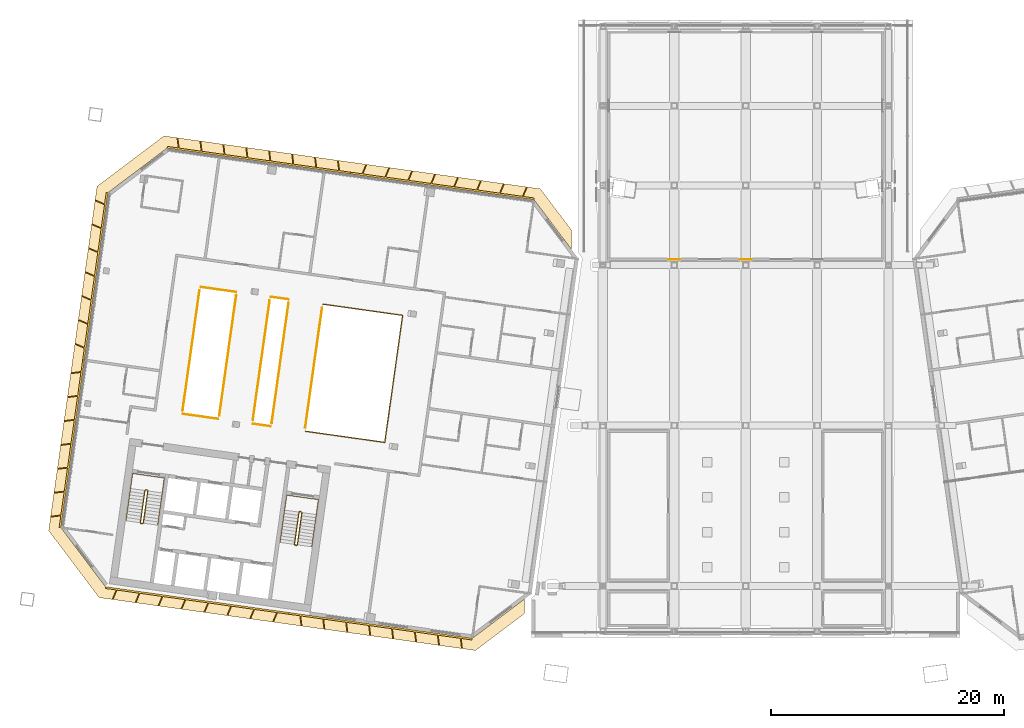
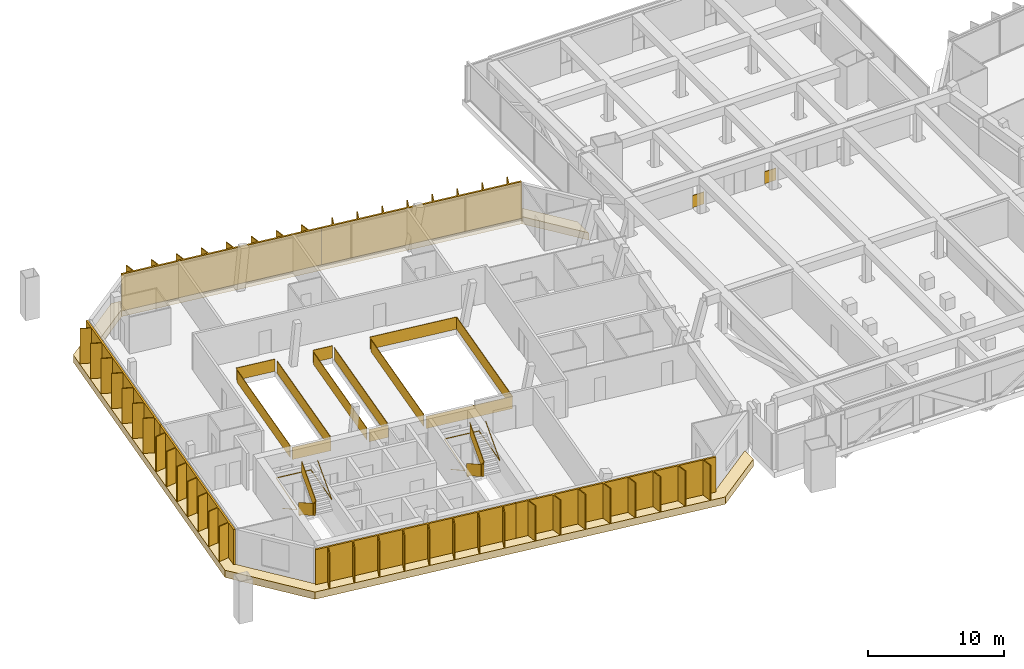
# One storey, part 26 of 30: 16 railings, 6 shading devices, 1 covering.
"""IFC4 building model written with IfcOpenShell, lengths in metres."""

from ifc_helpers import new_model, si_unit, direction, frame, origin, origin_2d, place, context, subcontext, project, spatial, polyline, rectangle, outline, extrude, material, layer, layer_set, type_object, element, save


model = new_model("IFC4")

# Units and contexts
model_context = context("Model", 3, precision=1e-05, world=origin(), true_north=direction((0.0, 1.0)))
body_context = subcontext(model_context, "Body", "Model", "MODEL_VIEW")
ifc_project = project(units=[si_unit("LENGTHUNIT", "METRE"), si_unit("AREAUNIT", "SQUARE_METRE"), si_unit("VOLUMEUNIT", "CUBIC_METRE"), si_unit("PLANEANGLEUNIT", "RADIAN"), si_unit("MASSUNIT", "GRAM", prefix="KILO")], contexts=[model_context])

# Site, building, storey
site_placement = place(None, origin())
site = spatial("IfcSite", under=ifc_project, at=site_placement, CompositionType="ELEMENT")
building_placement = place(site_placement, origin())
building = spatial("IfcBuilding", under=site, at=building_placement, Name="Mirante Cascada Hotel Towers", CompositionType="ELEMENT")
storey_placement = place(building_placement, frame((0.0, 0.0, 258.4)))
storey = spatial("IfcBuildingStorey", under=building, at=storey_placement, Name="L62", CompositionType="ELEMENT", Elevation=258.4)

# Railings
ifc_material_1 = material(Name="Toughened glass with stainless steel handrail", Category="steel")
railing_type_1 = type_object("IfcRailingType", Name="Atrium guard 1100 glass balustrade", PredefinedType="GUARDRAIL", material=ifc_material_1)
railing_1_placement = place(storey_placement, frame((-36.2506, 6.5531, 0.0)))
element("IfcRailing", 1, at=railing_1_placement, inside=storey, type_object=railing_type_1, Name="GUARD 1-L62-1", PredefinedType="GUARDRAIL", context=body_context, shape_type="SweptSolid", body=[
    extrude(rectangle(XDim=0.048, YDim=0.048, at=origin_2d()), frame((0.0, 0.0, 1.076), z_axis=(0.0, 1.0, 0.0), x_axis=(-1.0, 0.0, 0.0)), (0.0, 0.0, 1.0), 0.0001),
    extrude(rectangle(XDim=0.02, YDim=1.052, at=origin_2d()), frame((0.0, 0.0, 0.526), z_axis=(0.0, 1.0, 0.0), x_axis=(-1.0, 0.0, 0.0)), (0.0, 0.0, 1.0), 0.0001),
    extrude(rectangle(XDim=0.048, YDim=0.048, at=origin_2d()), frame((0.0, 0.0001, 1.076), z_axis=(0.9902667, -0.1391827, 0.0), x_axis=(0.1391827, 0.9902667, 0.0)), (0.0, 0.0, 1.0), 6.8802),
    extrude(rectangle(XDim=0.02, YDim=1.052, at=origin_2d()), frame((0.0, 0.0001, 0.526), z_axis=(0.9902667, -0.1391827, 0.0), x_axis=(0.1391827, 0.9902667, 0.0)), (0.0, 0.0, 1.0), 6.8802),
    extrude(rectangle(XDim=0.048, YDim=0.048, at=origin_2d()), frame((6.8132, -0.9575, 1.076), z_axis=(-0.1391733, -0.990268, 0.0), x_axis=(0.990268, -0.1391733, 0.0)), (0.0, 0.0, 1.0), 11.0),
    extrude(rectangle(XDim=0.02, YDim=1.052, at=origin_2d()), frame((6.8132, -0.9575, 0.526), z_axis=(-0.1391733, -0.990268, 0.0), x_axis=(0.990268, -0.1391733, 0.0)), (0.0, 0.0, 1.0), 11.0),
    extrude(rectangle(XDim=0.048, YDim=0.048, at=origin_2d()), frame((5.2823, -11.8504, 1.076), z_axis=(-0.9902687, 0.1391684, 0.0), x_axis=(-0.1391684, -0.9902687, 0.0)), (0.0, 0.0, 1.0), 6.8802),
    extrude(rectangle(XDim=0.02, YDim=1.052, at=origin_2d()), frame((5.2823, -11.8504, 0.526), z_axis=(-0.9902687, 0.1391684, 0.0), x_axis=(-0.1391684, -0.9902687, 0.0)), (0.0, 0.0, 1.0), 6.8802),
])
railing_2_placement = place(storey_placement, frame((-40.7523, -3.9223, 0.0)))
element("IfcRailing", 2, at=railing_2_placement, inside=storey, type_object=railing_type_1, Name="GUARD 1-L62-2", PredefinedType="GUARDRAIL", context=body_context, shape_type="SweptSolid", body=[
    extrude(rectangle(XDim=0.048, YDim=0.048, at=origin_2d()), frame((0.0, 0.0, 1.076), z_axis=(-0.9902703, 0.1391573, 0.0), x_axis=(-0.1391573, -0.9902703, 0.0)), (0.0, 0.0, 1.0), 1.54),
    extrude(rectangle(XDim=0.02, YDim=1.052, at=origin_2d()), frame((0.0, 0.0, 0.526), z_axis=(-0.9902703, 0.1391573, 0.0), x_axis=(-0.1391573, -0.9902703, 0.0)), (0.0, 0.0, 1.0), 1.54),
])
railing_3_placement = place(storey_placement, frame((-40.7464, 7.185, 0.0)))
element("IfcRailing", 3, at=railing_3_placement, inside=storey, type_object=railing_type_1, Name="GUARD 1-L62-3", PredefinedType="GUARDRAIL", context=body_context, shape_type="SweptSolid", body=[
    extrude(rectangle(XDim=0.048, YDim=0.048, at=origin_2d()), frame((0.0, 0.0, 1.076), z_axis=(0.9902703, -0.1391573, 0.0), x_axis=(0.1391573, 0.9902703, 0.0)), (0.0, 0.0, 1.0), 1.54),
    extrude(rectangle(XDim=0.02, YDim=1.052, at=origin_2d()), frame((0.0, 0.0, 0.526), z_axis=(0.9902703, -0.1391573, 0.0), x_axis=(0.1391573, 0.9902703, 0.0)), (0.0, 0.0, 1.0), 1.54),
])
railing_4_placement = place(storey_placement, frame((-45.2481, -3.2904, 0.0)))
element("IfcRailing", 4, at=railing_4_placement, inside=storey, type_object=railing_type_1, Name="GUARD 1-L62-4", PredefinedType="GUARDRAIL", context=body_context, shape_type="SweptSolid", body=[
    extrude(rectangle(XDim=0.048, YDim=0.048, at=origin_2d()), frame((0.0, 0.0, 1.076), z_axis=(-0.9902697, 0.1391618, 0.0), x_axis=(-0.1391618, -0.9902697, 0.0)), (0.0, 0.0, 1.0), 3.0799),
    extrude(rectangle(XDim=0.02, YDim=1.052, at=origin_2d()), frame((0.0, 0.0, 0.526), z_axis=(-0.9902697, 0.1391618, 0.0), x_axis=(-0.1391618, -0.9902697, 0.0)), (0.0, 0.0, 1.0), 3.0799),
    extrude(rectangle(XDim=0.048, YDim=0.048, at=origin_2d()), frame((-3.0499, 0.4286, 1.076), z_axis=(0.9901485, -0.140021, 0.0), x_axis=(0.140021, 0.9901485, 0.0)), (0.0, 0.0, 1.0), 0.04),
    extrude(rectangle(XDim=0.02, YDim=1.052, at=origin_2d()), frame((-3.0499, 0.4286, 0.526), z_axis=(0.9901485, -0.140021, 0.0), x_axis=(0.140021, 0.9901485, 0.0)), (0.0, 0.0, 1.0), 0.04),
])
railing_5_placement = place(storey_placement, frame((-46.7275, 8.0256, 0.0)))
element("IfcRailing", 5, at=railing_5_placement, inside=storey, type_object=railing_type_1, Name="GUARD 1-L62-5", PredefinedType="GUARDRAIL", context=body_context, shape_type="SweptSolid", body=[
    extrude(rectangle(XDim=0.048, YDim=0.048, at=origin_2d()), frame((0.0, 0.0, 1.076), z_axis=(-0.9901485, 0.140021, 0.0), x_axis=(-0.140021, -0.9901485, 0.0)), (0.0, 0.0, 1.0), 0.04),
    extrude(rectangle(XDim=0.02, YDim=1.052, at=origin_2d()), frame((0.0, 0.0, 0.526), z_axis=(-0.9901485, 0.140021, 0.0), x_axis=(-0.140021, -0.9901485, 0.0)), (0.0, 0.0, 1.0), 0.04),
    extrude(rectangle(XDim=0.048, YDim=0.048, at=origin_2d()), frame((-0.0396, 0.0056, 1.076), z_axis=(0.9902652, -0.1391936, 0.0), x_axis=(0.1391936, 0.9902652, 0.0)), (0.0, 0.0, 1.0), 3.0799),
    extrude(rectangle(XDim=0.02, YDim=1.052, at=origin_2d()), frame((-0.0396, 0.0056, 0.526), z_axis=(0.9902652, -0.1391936, 0.0), x_axis=(0.1391936, 0.9902652, 0.0)), (0.0, 0.0, 1.0), 3.0799),
])
railing_6_placement = place(storey_placement, frame((-46.8577, 7.7455, 0.0)))
element("IfcRailing", 6, at=railing_6_placement, inside=storey, type_object=railing_type_1, Name="GUARD 1-L62-6", PredefinedType="GUARDRAIL", context=body_context, shape_type="SweptSolid", body=[
    extrude(rectangle(XDim=0.048, YDim=0.048, at=origin_2d()), frame((0.0, 0.0, 1.076), z_axis=(-0.1391776, -0.9902674, 0.0), x_axis=(0.9902674, -0.1391776, 0.0)), (0.0, 0.0, 1.0), 10.409),
    extrude(rectangle(XDim=0.02, YDim=1.052, at=origin_2d()), frame((0.0, 0.0, 0.526), z_axis=(-0.1391776, -0.9902674, 0.0), x_axis=(0.9902674, -0.1391776, 0.0)), (0.0, 0.0, 1.0), 10.409),
])
railing_7_placement = place(storey_placement, frame((-45.1584, -3.0045, 0.0)))
element("IfcRailing", 7, at=railing_7_placement, inside=storey, type_object=railing_type_1, Name="GUARD 1-L62-7", PredefinedType="GUARDRAIL", context=body_context, shape_type="SweptSolid", body=[
    extrude(rectangle(XDim=0.048, YDim=0.048, at=origin_2d()), frame((0.0, 0.0, 1.076), z_axis=(0.1391721, 0.9902682, 0.0), x_axis=(-0.9902682, 0.1391721, 0.0)), (0.0, 0.0, 1.0), 10.4087),
    extrude(rectangle(XDim=0.02, YDim=1.052, at=origin_2d()), frame((0.0, 0.0, 0.526), z_axis=(0.1391721, 0.9902682, 0.0), x_axis=(-0.9902682, 0.1391721, 0.0)), (0.0, 0.0, 1.0), 10.4087),
])
railing_8_placement = place(storey_placement, frame((-40.8361, 6.899, 0.0)))
element("IfcRailing", 8, at=railing_8_placement, inside=storey, type_object=railing_type_1, Name="GUARD 1-L62-8", PredefinedType="GUARDRAIL", context=body_context, shape_type="SweptSolid", body=[
    extrude(rectangle(XDim=0.048, YDim=0.048, at=origin_2d()), frame((0.0, 0.0, 1.076), z_axis=(-0.1391721, -0.9902682, 0.0), x_axis=(0.9902682, -0.1391721, 0.0)), (0.0, 0.0, 1.0), 10.4087),
    extrude(rectangle(XDim=0.02, YDim=1.052, at=origin_2d()), frame((0.0, 0.0, 0.526), z_axis=(-0.1391721, -0.9902682, 0.0), x_axis=(0.9902682, -0.1391721, 0.0)), (0.0, 0.0, 1.0), 10.4087),
])
railing_9_placement = place(storey_placement, frame((-40.6626, -3.6363, 0.0)))
element("IfcRailing", 9, at=railing_9_placement, inside=storey, type_object=railing_type_1, Name="GUARD 1-L62-9", PredefinedType="GUARDRAIL", context=body_context, shape_type="SweptSolid", body=[
    extrude(rectangle(XDim=0.048, YDim=0.048, at=origin_2d()), frame((0.0, 0.0, 1.076), z_axis=(0.1391721, 0.9902682, 0.0), x_axis=(-0.9902682, 0.1391721, 0.0)), (0.0, 0.0, 1.0), 10.4087),
    extrude(rectangle(XDim=0.02, YDim=1.052, at=origin_2d()), frame((0.0, 0.0, 0.526), z_axis=(0.1391721, 0.9902682, 0.0), x_axis=(-0.9902682, 0.1391721, 0.0)), (0.0, 0.0, 1.0), 10.4087),
])
railing_10_placement = place(storey_placement, frame((-36.3403, 6.2672, 0.0)))
element("IfcRailing", 10, at=railing_10_placement, inside=storey, type_object=railing_type_1, Name="GUARD 1-L62-10", PredefinedType="GUARDRAIL", context=body_context, shape_type="SweptSolid", body=[
    extrude(rectangle(XDim=0.048, YDim=0.048, at=origin_2d()), frame((0.0, 0.0, 1.076), z_axis=(-0.1391721, -0.9902682, 0.0), x_axis=(0.9902682, -0.1391721, 0.0)), (0.0, 0.0, 1.0), 10.4087),
    extrude(rectangle(XDim=0.02, YDim=1.052, at=origin_2d()), frame((0.0, 0.0, 0.526), z_axis=(-0.1391721, -0.9902682, 0.0), x_axis=(0.9902682, -0.1391721, 0.0)), (0.0, 0.0, 1.0), 10.4087),
])

# Covering
ifc_material_2 = material(Name="Precast concrete C40/50 white", Category="concrete")
ifc_layer = layer(ifc_material_2, 0.6)
ifc_layer_set = layer_set([ifc_layer], Name="Precast concrete SUNSHADE band 1000x600")
covering_type = type_object("IfcCoveringType", Name="Precast concrete SUNSHADE band 1000x600", PredefinedType="CLADDING", material=ifc_layer_set)
covering_placement = place(storey_placement, frame((0.0, 0.0, -0.5)))
element("IfcCovering", 11, at=covering_placement, inside=storey, type_object=covering_type, Name="Precast concrete SUNSHADE band T1 L62", PredefinedType="CLADDING", context=body_context, shape_type="SweptSolid", body=[
    extrude(outline(polyline([(-55.6518, 16.6659), (-49.9078, 20.9944), (-17.617, 16.4562), (-14.9364, 12.899), (-14.9364, 11.2374), (-18.1663, 15.5236), (-49.6367, 19.9465), (-54.7192, 16.1166), (-58.7552, -12.6012), (-54.9253, -17.6837), (-23.4549, -22.1066), (-18.9724, -18.7288), (-18.9724, -19.9809), (-23.1839, -23.1545), (-55.4747, -18.6163), (-59.8032, -12.8722), (-55.6518, 16.6659)])), origin(), (0.0, 0.0, 1.0), 0.65),
])

# Railings
ifc_material_3 = material(Name="Painted steel", Category="steel")
railing_type_2 = type_object("IfcRailingType", Name="Stair guard 1100 steel balustrade", PredefinedType="GUARDRAIL", material=ifc_material_3)
railing_11_placement = place(storey_placement, frame((-38.1178, -11.2603, 0.0)))
element("IfcRailing", 12, at=railing_11_placement, inside=storey, type_object=railing_type_2, Name="L62 ST1-A stair guard 1", PredefinedType="GUARDRAIL", context=body_context, shape_type="SweptSolid", body=[
    extrude(rectangle(XDim=0.048, YDim=0.048, at=origin_2d()), frame((0.0, 0.0, 1.076), z_axis=(-0.9903326, 0.1387133, 0.0), x_axis=(-0.1387133, -0.9903326, 0.0)), (0.0, 0.0, 1.0), 0.1499),
    extrude(rectangle(XDim=0.02, YDim=1.052, at=origin_2d()), frame((0.0, 0.0, 0.526), z_axis=(-0.9903326, 0.1387133, 0.0), x_axis=(-0.1387133, -0.9903326, 0.0)), (0.0, 0.0, 1.0), 0.1499),
    extrude(rectangle(XDim=0.048, YDim=0.048, at=origin_2d()), frame((-0.1485, 0.0208, 1.076), z_axis=(-0.7991505, -0.6011309, 0.0), x_axis=(0.6011309, -0.7991505, 0.0)), (0.0, 0.9254529, 0.3788627), 0.1866),
    extrude(rectangle(XDim=0.02, YDim=1.052, at=origin_2d()), frame((-0.1485, 0.0208, 0.526), z_axis=(-0.7991505, -0.6011309, 0.0), x_axis=(0.6011309, -0.7991505, 0.0)), (0.0, 0.9254529, 0.3788627), 0.1866),
    extrude(rectangle(XDim=0.048, YDim=0.048, at=origin_2d()), frame((-0.205, -0.0217, 1.2487), z_axis=(-0.139176, -0.9902677, 0.0), x_axis=(0.9902677, -0.139176, 0.0)), (0.0, 0.5250212, 0.8510891), 3.29),
    extrude(rectangle(XDim=0.02, YDim=1.052, at=origin_2d()), frame((-0.205, -0.0217, 0.6987), z_axis=(-0.139176, -0.9902677, 0.0), x_axis=(0.9902677, -0.139176, 0.0)), (0.0, 0.5250212, 0.8510891), 3.29),
    extrude(rectangle(XDim=0.048, YDim=0.048, at=origin_2d()), frame((-0.5947, -2.7945, 2.976), z_axis=(0.9270311, -0.3749843, 0.0), x_axis=(0.3749843, 0.9270311, 0.0)), (0.0, 0.0, 1.0), 0.2061),
    extrude(rectangle(XDim=0.02, YDim=1.052, at=origin_2d()), frame((-0.5947, -2.7945, 2.426), z_axis=(0.9270311, -0.3749843, 0.0), x_axis=(0.3749843, 0.9270311, 0.0)), (0.0, 0.0, 1.0), 0.2061),
    extrude(rectangle(XDim=0.048, YDim=0.048, at=origin_2d()), frame((-0.4036, -2.8718, 2.976), z_axis=(-0.9902408, 0.1393672, 0.0), x_axis=(-0.1393672, -0.9902408, 0.0)), (0.0, 0.0, 1.0), 0.15),
    extrude(rectangle(XDim=0.02, YDim=1.052, at=origin_2d()), frame((-0.4036, -2.8718, 2.426), z_axis=(-0.9902408, 0.1393672, 0.0), x_axis=(-0.1393672, -0.9902408, 0.0)), (0.0, 0.0, 1.0), 0.15),
    extrude(rectangle(XDim=0.048, YDim=0.048, at=origin_2d()), frame((-0.5521, -2.8509, 2.976), z_axis=(0.9944948, 0.1047858, 0.0), x_axis=(-0.1047858, 0.9944948, 0.0)), (0.0, 0.6422034, 0.7665343), 0.2689),
    extrude(rectangle(XDim=0.02, YDim=1.052, at=origin_2d()), frame((-0.5521, -2.8509, 2.426), z_axis=(0.9944948, 0.1047858, 0.0), x_axis=(-0.1047858, 0.9944948, 0.0)), (0.0, 0.6422034, 0.7665343), 0.2689),
    extrude(rectangle(XDim=0.048, YDim=0.048, at=origin_2d()), frame((-0.3471, -2.8293, 3.1487), z_axis=(0.139176, 0.9902677, 0.0), x_axis=(-0.9902677, 0.139176, 0.0)), (0.0, 0.5250212, 0.8510891), 3.29),
    extrude(rectangle(XDim=0.02, YDim=1.052, at=origin_2d()), frame((-0.3471, -2.8293, 2.5987), z_axis=(0.139176, 0.9902677, 0.0), x_axis=(-0.9902677, 0.139176, 0.0)), (0.0, 0.5250212, 0.8510891), 3.29),
])
railing_12_placement = place(storey_placement, frame((-51.3379, -9.4024, 0.0)))
element("IfcRailing", 13, at=railing_12_placement, inside=storey, type_object=railing_type_2, Name="L62 ST1-B stair guard 1", PredefinedType="GUARDRAIL", context=body_context, shape_type="SweptSolid", body=[
    extrude(rectangle(XDim=0.048, YDim=0.048, at=origin_2d()), frame((0.0, 0.0, 1.076), z_axis=(-0.9902408, 0.1393672, 0.0), x_axis=(-0.1393672, -0.9902408, 0.0)), (0.0, 0.0, 1.0), 0.15),
    extrude(rectangle(XDim=0.02, YDim=1.052, at=origin_2d()), frame((0.0, 0.0, 0.526), z_axis=(-0.9902408, 0.1393672, 0.0), x_axis=(-0.1393672, -0.9902408, 0.0)), (0.0, 0.0, 1.0), 0.15),
    extrude(rectangle(XDim=0.048, YDim=0.048, at=origin_2d()), frame((-0.1485, 0.0209, 1.076), z_axis=(-0.7984711, -0.6020331, 0.0), x_axis=(0.6020331, -0.7984711, 0.0)), (0.0, 0.9253398, 0.3791387), 0.1866),
    extrude(rectangle(XDim=0.02, YDim=1.052, at=origin_2d()), frame((-0.1485, 0.0209, 0.526), z_axis=(-0.7984711, -0.6020331, 0.0), x_axis=(0.6020331, -0.7984711, 0.0)), (0.0, 0.9253398, 0.3791387), 0.1866),
    extrude(rectangle(XDim=0.048, YDim=0.048, at=origin_2d()), frame((-0.205, -0.0217, 1.2487), z_axis=(-0.139181, -0.990267, 0.0), x_axis=(0.990267, -0.139181, 0.0)), (0.0, 0.5250347, 0.8510808), 3.2899),
    extrude(rectangle(XDim=0.02, YDim=1.052, at=origin_2d()), frame((-0.205, -0.0217, 0.6987), z_axis=(-0.139181, -0.990267, 0.0), x_axis=(0.990267, -0.139181, 0.0)), (0.0, 0.5250347, 0.8510808), 3.2899),
    extrude(rectangle(XDim=0.048, YDim=0.048, at=origin_2d()), frame((-0.5947, -2.7944, 2.976), z_axis=(0.9268624, -0.3754011, 0.0), x_axis=(0.3754011, 0.9268624, 0.0)), (0.0, 0.0, 1.0), 0.2062),
    extrude(rectangle(XDim=0.02, YDim=1.052, at=origin_2d()), frame((-0.5947, -2.7944, 2.426), z_axis=(0.9268624, -0.3754011, 0.0), x_axis=(0.3754011, 0.9268624, 0.0)), (0.0, 0.0, 1.0), 0.2062),
    extrude(rectangle(XDim=0.048, YDim=0.048, at=origin_2d()), frame((-0.4036, -2.8718, 2.976), z_axis=(-0.9902408, 0.1393672, 0.0), x_axis=(-0.1393672, -0.9902408, 0.0)), (0.0, 0.0, 1.0), 0.15),
    extrude(rectangle(XDim=0.02, YDim=1.052, at=origin_2d()), frame((-0.4036, -2.8718, 2.426), z_axis=(-0.9902408, 0.1393672, 0.0), x_axis=(-0.1393672, -0.9902408, 0.0)), (0.0, 0.0, 1.0), 0.15),
    extrude(rectangle(XDim=0.048, YDim=0.048, at=origin_2d()), frame((-0.5521, -2.8509, 2.976), z_axis=(0.9944441, 0.1052656, 0.0), x_axis=(-0.1052656, 0.9944441, 0.0)), (0.0, 0.6421842, 0.7665504), 0.2689),
    extrude(rectangle(XDim=0.02, YDim=1.052, at=origin_2d()), frame((-0.5521, -2.8509, 2.426), z_axis=(0.9944441, 0.1052656, 0.0), x_axis=(-0.1052656, 0.9944441, 0.0)), (0.0, 0.6421842, 0.7665504), 0.2689),
    extrude(rectangle(XDim=0.048, YDim=0.048, at=origin_2d()), frame((-0.3471, -2.8292, 3.1487), z_axis=(0.139181, 0.990267, 0.0), x_axis=(-0.990267, 0.139181, 0.0)), (0.0, 0.5250347, 0.8510808), 3.2899),
    extrude(rectangle(XDim=0.02, YDim=1.052, at=origin_2d()), frame((-0.3471, -2.8292, 2.5987), z_axis=(0.139181, 0.990267, 0.0), x_axis=(-0.990267, 0.139181, 0.0)), (0.0, 0.5250347, 0.8510808), 3.2899),
])
ifc_material_4 = material(Name="Painted steel", Category="steel")
railing_type_3 = type_object("IfcRailingType", Name="Stair handrail 900 steel tube", PredefinedType="HANDRAIL", material=ifc_material_4)
railing_13_placement = place(storey_placement, frame((-39.5606, -11.1081, 0.1727)))
element("IfcRailing", 14, at=railing_13_placement, inside=storey, type_object=railing_type_3, Name="L62 ST1-A stair handrail 1", PredefinedType="HANDRAIL", context=body_context, shape_type="SweptSolid", body=[
    extrude(rectangle(XDim=0.048, YDim=0.048, at=origin_2d()), frame((0.0, 0.0, 0.876), z_axis=(-0.139181, -0.990267, 0.0), x_axis=(0.990267, -0.139181, 0.0)), (0.0, 0.5250347, 0.8510808), 3.2899),
    extrude(rectangle(XDim=0.048, YDim=0.048, at=origin_2d()), frame((-0.3897, -2.7727, 2.6033), z_axis=(0.1391707, 0.9902684, 0.0), x_axis=(-0.9902684, 0.1391707, 0.0)), (0.0, 0.0420846, 0.999114), 4.1036),
    extrude(rectangle(XDim=0.048, YDim=0.048, at=origin_2d()), frame((0.1809, 1.2874, 2.776), z_axis=(0.9902691, -0.1391657, 0.0), x_axis=(0.1391657, 0.9902691, 0.0)), (0.0, 0.0, 1.0), 2.75),
    extrude(rectangle(XDim=0.048, YDim=0.048, at=origin_2d()), frame((2.9041, 0.9047, 2.776), z_axis=(-0.1391707, -0.9902684, 0.0), x_axis=(0.9902684, -0.1391707, 0.0)), (0.0, 0.0, 1.0), 4.1),
    extrude(rectangle(XDim=0.048, YDim=0.048, at=origin_2d()), frame((2.3335, -3.1554, 2.776), z_axis=(0.139181, 0.990267, 0.0), x_axis=(-0.990267, 0.139181, 0.0)), (0.0, 0.5250347, 0.8510808), 3.2899),
])
railing_14_placement = place(storey_placement, frame((-52.7807, -9.2501, 0.1727)))
element("IfcRailing", 15, at=railing_14_placement, inside=storey, type_object=railing_type_3, Name="L62 ST1-B stair handrail 1", PredefinedType="HANDRAIL", context=body_context, shape_type="SweptSolid", body=[
    extrude(rectangle(XDim=0.048, YDim=0.048, at=origin_2d()), frame((0.0, 0.0, 0.876), z_axis=(-0.139181, -0.990267, 0.0), x_axis=(0.990267, -0.139181, 0.0)), (0.0, 0.5250347, 0.8510808), 3.2899),
    extrude(rectangle(XDim=0.048, YDim=0.048, at=origin_2d()), frame((-0.3897, -2.7727, 2.6033), z_axis=(0.1391707, 0.9902684, 0.0), x_axis=(-0.9902684, 0.1391707, 0.0)), (0.0, 0.0420846, 0.999114), 4.1036),
    extrude(rectangle(XDim=0.048, YDim=0.048, at=origin_2d()), frame((0.1809, 1.2874, 2.776), z_axis=(0.9902641, -0.1392013, 0.0), x_axis=(0.1392013, 0.9902641, 0.0)), (0.0, 0.0, 1.0), 2.75),
    extrude(rectangle(XDim=0.048, YDim=0.048, at=origin_2d()), frame((2.9041, 0.9046, 2.776), z_axis=(-0.1391707, -0.9902684, 0.0), x_axis=(0.9902684, -0.1391707, 0.0)), (0.0, 0.0, 1.0), 4.1),
    extrude(rectangle(XDim=0.048, YDim=0.048, at=origin_2d()), frame((2.3335, -3.1555, 2.776), z_axis=(0.139176, 0.9902677, 0.0), x_axis=(-0.9902677, 0.139176, 0.0)), (0.0, 0.5250212, 0.8510891), 3.29),
])
ifc_material_5 = material(Name="Toughened glass", Category="glass")
railing_type_4 = type_object("IfcRailingType", Name="Truss bay glazed screen 1100", PredefinedType="GUARDRAIL", material=ifc_material_5)
for number, where, name in (
    (16, (-6.63, 10.41, 0.0), "Truss bay glazed screen L62 1"),
    (17, (-0.5, 10.41, 0.0), "Truss bay glazed screen L62 2"),
):
    element("IfcRailing", number, at=place(storey_placement, frame(where)), inside=storey, type_object=railing_type_4, Name=name, PredefinedType="GUARDRAIL", context=body_context, shape_type="SweptSolid", body=[
        extrude(rectangle(XDim=0.048, YDim=0.048, at=origin_2d()), frame((0.0, 0.0, 1.076), z_axis=(1.0, 0.0, 0.0), x_axis=(0.0, 1.0, 0.0)), (0.0, 0.0, 1.0), 1.0),
        extrude(rectangle(XDim=0.02, YDim=1.052, at=origin_2d()), frame((0.0, 0.0, 0.526), z_axis=(1.0, 0.0, 0.0), x_axis=(0.0, 1.0, 0.0)), (0.0, 0.0, 1.0), 1.0),
    ])

# Shading devices
ifc_material_6 = material(Name="White precast concrete C50/60 fin", Category="concrete")
shading_device_type = type_object("IfcShadingDeviceType", Name="Vertical fin set 4500x900", PredefinedType="USERDEFINED", material=ifc_material_6)
shading_device_1_placement = place(storey_placement, origin())
element("IfcShadingDevice", 18, at=shading_device_1_placement, inside=storey, type_object=shading_device_type, Name="FIN T1 L62 front 1", ObjectType="FIN", PredefinedType="USERDEFINED", context=body_context, shape_type="SweptSolid", body=[
    extrude(outline(polyline([(-34.8364, 18.0179), (-33.8807, 17.8836), (-33.9015, 17.735), (-49.6367, 19.9465), (-49.6159, 20.095), (-48.6867, 19.9644), (-48.7888, 20.7957), (-48.7094, 20.8055), (-48.6047, 19.9529), (-46.7198, 19.688), (-46.8219, 20.5193), (-46.7425, 20.529), (-46.6378, 19.6765), (-44.7529, 19.4116), (-44.855, 20.2429), (-44.7756, 20.2526), (-44.6709, 19.4001), (-42.786, 19.1352), (-42.8881, 19.9664), (-42.8087, 19.9762), (-42.704, 19.1236), (-40.8191, 18.8587), (-40.9212, 19.69), (-40.8418, 19.6997), (-40.7371, 18.8472), (-38.8522, 18.5823), (-38.9543, 19.4136), (-38.8749, 19.4233), (-38.7702, 18.5708), (-36.8853, 18.3059), (-36.9874, 19.1371), (-36.908, 19.1469), (-36.8033, 18.2943), (-34.9184, 18.0294), (-35.0205, 18.8607), (-34.941, 18.8705), (-34.8364, 18.0179)])), origin(), (0.0, 0.0, 1.0), 3.3),
])
shading_device_2_placement = place(storey_placement, origin())
element("IfcShadingDevice", 19, at=shading_device_2_placement, inside=storey, type_object=shading_device_type, Name="FIN T1 L62 front 2", ObjectType="FIN", PredefinedType="USERDEFINED", context=body_context, shape_type="SweptSolid", body=[
    extrude(outline(polyline([(-19.0746, 15.8027), (-18.1455, 15.6722), (-18.1663, 15.5236), (-33.9015, 17.735), (-33.8807, 17.8836), (-32.925, 17.7493), (-32.5893, 18.5399), (-32.5157, 18.5087), (-32.8429, 17.7377), (-30.958, 17.4728), (-30.6224, 18.2635), (-30.5488, 18.2323), (-30.876, 17.4613), (-28.9911, 17.1964), (-28.6555, 17.9871), (-28.5819, 17.9558), (-28.9091, 17.1849), (-27.0242, 16.92), (-26.6886, 17.7107), (-26.615, 17.6794), (-26.9422, 16.9085), (-25.0573, 16.6436), (-24.7217, 17.4342), (-24.6481, 17.403), (-24.9753, 16.632), (-23.0904, 16.3671), (-22.7548, 17.1578), (-22.6812, 17.1265), (-23.0084, 16.3556), (-21.1235, 16.0907), (-20.7879, 16.8814), (-20.7143, 16.8501), (-21.0415, 16.0792), (-19.1566, 15.8143), (-18.821, 16.6049), (-18.7474, 16.5737), (-19.0746, 15.8027)])), origin(), (0.0, 0.0, 1.0), 3.3),
])
shading_device_3_placement = place(storey_placement, origin())
element("IfcShadingDevice", 20, at=shading_device_3_placement, inside=storey, type_object=shading_device_type, Name="FIN T1 L62 outer 1", ObjectType="FIN", PredefinedType="USERDEFINED", context=body_context, shape_type="SweptSolid", body=[
    extrude(outline(polyline([(-58.7557, -11.527), (-58.479, -9.5577), (-59.3103, -9.6598), (-59.32, -9.5804), (-58.4675, -9.4757), (-58.1907, -7.5064), (-59.022, -7.6085), (-59.0317, -7.5291), (-58.1792, -7.4244), (-57.9024, -5.4552), (-58.7337, -5.5572), (-58.7434, -5.4778), (-57.8909, -5.3732), (-57.6141, -3.4039), (-58.4454, -3.506), (-58.4551, -3.4266), (-57.6026, -3.3219), (-57.3258, -1.3526), (-58.1571, -1.4547), (-58.1669, -1.3753), (-57.3143, -1.2706), (-57.0375, 0.6986), (-57.8688, 0.5966), (-57.8786, 0.676), (-57.026, 0.7807), (-56.8858, 1.7785), (-56.7372, 1.7577), (-58.7552, -12.6012), (-58.9038, -12.5803), (-58.7673, -11.609), (-59.5985, -11.711), (-59.6083, -11.6316), (-58.7557, -11.527)])), origin(), (0.0, 0.0, 1.0), 3.3),
])
shading_device_4_placement = place(storey_placement, origin())
element("IfcShadingDevice", 21, at=shading_device_4_placement, inside=storey, type_object=shading_device_type, Name="FIN T1 L62 outer 2", ObjectType="FIN", PredefinedType="USERDEFINED", context=body_context, shape_type="SweptSolid", body=[
    extrude(outline(polyline([(-56.734, 2.8585), (-56.4572, 4.8277), (-57.2479, 5.1633), (-57.2167, 5.237), (-56.4457, 4.9097), (-56.169, 6.879), (-56.9596, 7.2146), (-56.9284, 7.2882), (-56.1574, 6.961), (-55.8807, 8.9303), (-56.6713, 9.2659), (-56.6401, 9.3395), (-55.8691, 9.0123), (-55.5924, 10.9815), (-56.3831, 11.3171), (-56.3518, 11.3908), (-55.5809, 11.0635), (-55.3041, 13.0328), (-56.0948, 13.3684), (-56.0635, 13.4421), (-55.2926, 13.1148), (-55.0158, 15.0841), (-55.8065, 15.4197), (-55.7752, 15.4933), (-55.0043, 15.1661), (-54.8678, 16.1374), (-54.7192, 16.1166), (-56.7372, 1.7577), (-56.8858, 1.7785), (-56.7455, 2.7764), (-57.5362, 3.1121), (-57.5049, 3.1857), (-56.734, 2.8585)])), origin(), (0.0, 0.0, 1.0), 3.3),
])
shading_device_5_placement = place(storey_placement, origin())
element("IfcShadingDevice", 22, at=shading_device_5_placement, inside=storey, type_object=shading_device_type, Name="FIN T1 L62 rear 1", ObjectType="FIN", PredefinedType="USERDEFINED", context=body_context, shape_type="SweptSolid", body=[
    extrude(outline(polyline([(-24.487, -22.113), (-26.3719, -21.8481), (-26.2698, -22.6794), (-26.3492, -22.6891), (-26.4539, -21.8366), (-28.3388, -21.5717), (-28.2367, -22.4029), (-28.3161, -22.4127), (-28.4208, -21.5601), (-30.3057, -21.2952), (-30.2036, -22.1265), (-30.283, -22.1363), (-30.3877, -21.2837), (-32.2726, -21.0188), (-32.1705, -21.8501), (-32.2499, -21.8598), (-32.3546, -21.0073), (-34.2395, -20.7424), (-34.1374, -21.5737), (-34.2168, -21.5834), (-34.3215, -20.7309), (-36.2064, -20.466), (-36.1043, -21.2972), (-36.1837, -21.307), (-36.2884, -20.4544), (-38.1733, -20.1895), (-38.0712, -21.0208), (-38.1506, -21.0305), (-38.2553, -20.178), (-39.211, -20.0437), (-39.1901, -19.8951), (-23.4549, -22.1066), (-23.4758, -22.2551), (-24.405, -22.1245), (-24.3029, -22.9558), (-24.3823, -22.9656), (-24.487, -22.113)])), origin(), (0.0, 0.0, 1.0), 3.3),
])
shading_device_6_placement = place(storey_placement, origin())
element("IfcShadingDevice", 23, at=shading_device_6_placement, inside=storey, type_object=shading_device_type, Name="FIN T1 L62 rear 2", ObjectType="FIN", PredefinedType="USERDEFINED", context=body_context, shape_type="SweptSolid", body=[
    extrude(outline(polyline([(-40.2487, -19.8978), (-42.1336, -19.6329), (-42.4692, -20.4236), (-42.5429, -20.3923), (-42.2156, -19.6214), (-44.1005, -19.3565), (-44.4361, -20.1472), (-44.5098, -20.1159), (-44.1825, -19.345), (-46.0674, -19.0801), (-46.403, -19.8707), (-46.4767, -19.8395), (-46.1494, -19.0685), (-48.0343, -18.8036), (-48.3699, -19.5943), (-48.4436, -19.5631), (-48.1163, -18.7921), (-50.0012, -18.5272), (-50.3368, -19.3179), (-50.4105, -19.2866), (-50.0832, -18.5157), (-51.9681, -18.2508), (-52.3037, -19.0415), (-52.3774, -19.0102), (-52.0501, -18.2393), (-53.935, -17.9744), (-54.2706, -18.765), (-54.3443, -18.7338), (-54.017, -17.9628), (-54.9462, -17.8322), (-54.9253, -17.6837), (-39.1901, -19.8951), (-39.211, -20.0437), (-40.1667, -19.9094), (-40.5023, -20.7), (-40.576, -20.6688), (-40.2487, -19.8978)])), origin(), (0.0, 0.0, 1.0), 3.3),
])

save(model, "model.ifc")
